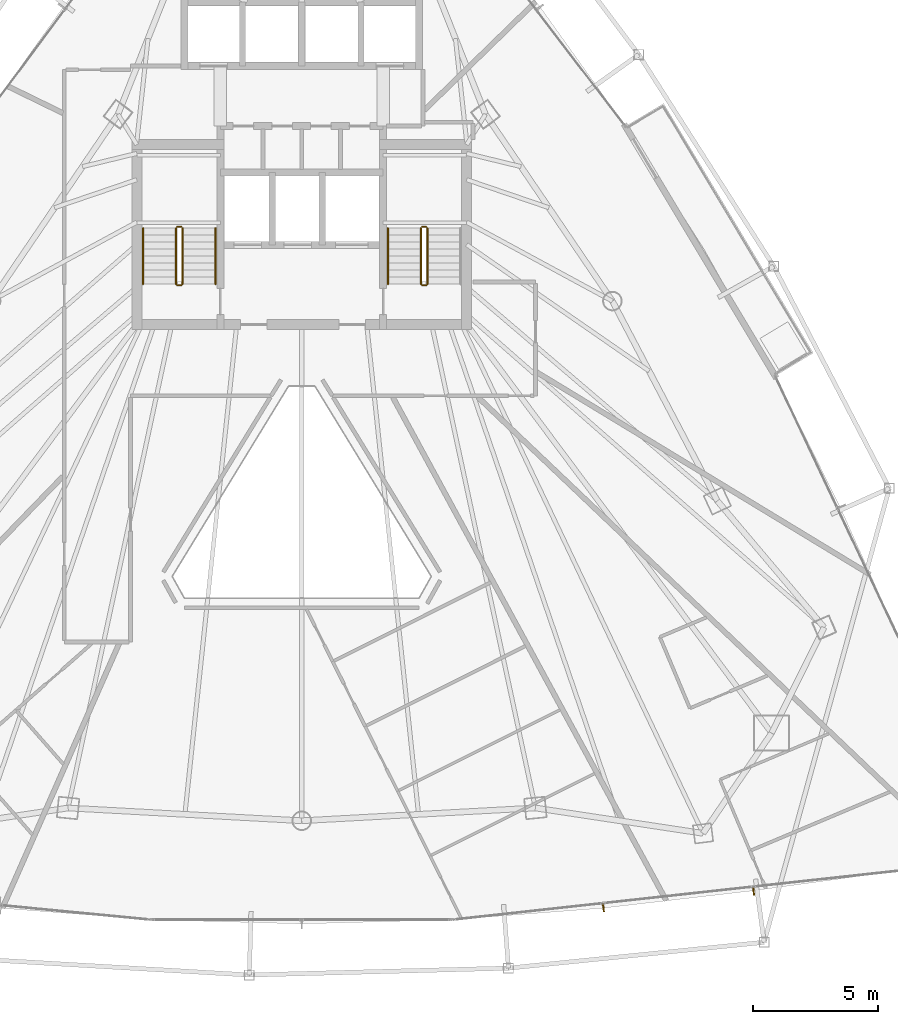
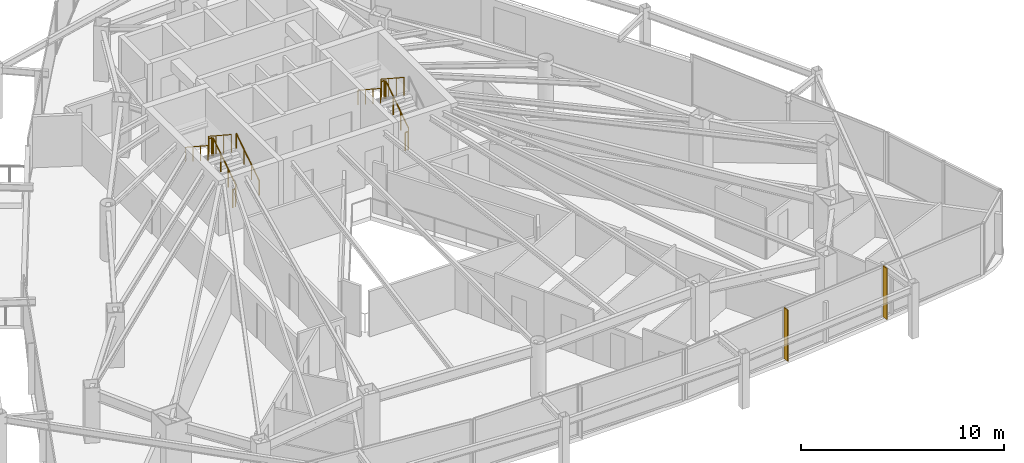
# One storey, part 30 of 31: 11 railings, 2 shading devices.
"""IFC4 building model written with IfcOpenShell, lengths in metres."""

from ifc_helpers import new_model, si_unit, direction, frame, origin, origin_2d, place, context, subcontext, project, spatial, rectangle, circle, extrude, material, layer, layer_set, type_object, element, save


model = new_model("IFC4")

# Units and contexts
model_context = context("Model", 3, precision=1e-05, world=origin(), true_north=direction((0.0, 1.0)))
body_context = subcontext(model_context, "Body", "Model", "MODEL_VIEW")
ifc_project = project(units=[si_unit("LENGTHUNIT", "METRE"), si_unit("AREAUNIT", "SQUARE_METRE"), si_unit("VOLUMEUNIT", "CUBIC_METRE"), si_unit("PLANEANGLEUNIT", "RADIAN"), si_unit("MASSUNIT", "GRAM", prefix="KILO")], contexts=[model_context])

# Site, building, storey
site_placement = place(None, origin())
site = spatial("IfcSite", under=ifc_project, at=site_placement, CompositionType="ELEMENT")
building_placement = place(site_placement, origin())
building = spatial("IfcBuilding", under=site, at=building_placement, Name="Orvanel Arch Residences", CompositionType="ELEMENT")
storey_placement = place(building_placement, frame((0.0, 0.0, 106.699951171875)))
storey = spatial("IfcBuildingStorey", under=building, at=storey_placement, Name="L29", CompositionType="ELEMENT", Elevation=106.699951171875)

# Shading devices
ifc_material_1 = material(Name="Bronze-anodised aluminium AA6063-T6", Category="aluminium")
ifc_layer = layer(ifc_material_1, 0.054931640625)
ifc_layer_set = layer_set([ifc_layer], Name="Bronze-anodised aluminium AA6063-T6")
shading_device_type = type_object("IfcShadingDeviceType", Name="FIN-BRZ-320", PredefinedType="USERDEFINED", material=ifc_layer_set)
for number, where, z_axis, x_axis, name in (
    (1, (45.073974609375, 3.35498046875, 0.0), (0.0, 0.0, 1.0), (0.109734311091, -0.993960955455, 0.0), "L29 Anodised Bronze Mullion FIN 01"),
    (2, (51.083984375, 4.014892578125, 0.0), (0.0, 0.0, 1.0), (0.109734311091, -0.993960955455, 0.0), "L29 Anodised Bronze Mullion FIN 02"),
):
    element("IfcShadingDevice", number, at=place(storey_placement, frame(where, z_axis=z_axis, x_axis=x_axis)), inside=storey, type_object=shading_device_type, Name=name, ObjectType="FIN", PredefinedType="USERDEFINED", context=body_context, shape_type="SweptSolid", body=[
        extrude(rectangle(XDim=0.320068359375, YDim=0.054931640625, at=origin_2d()), origin(), (0.0, 0.0, 1.0), 3.06005859375),
    ])

# Railings
ifc_material_2 = material(Name="Structural steel AS/NZS 1163 C350L0 (Grade 350)", Category="steel")
railing_type_1 = type_object("IfcRailingType", Name="RL-STAIR-GUARD", PredefinedType="GUARDRAIL", material=ifc_material_2)
railing_1_placement = place(storey_placement, frame((28.22998046875, 28.320068359375, 0.183349609375)))
element("IfcRailing", 3, at=railing_1_placement, inside=storey, type_object=railing_type_1, Name="L29 ST-1 stair guard 1", PredefinedType="GUARDRAIL", context=body_context, shape_type="SweptSolid", body=[
    extrude(circle(Radius=0.02392578125, at=origin_2d()), frame((0.0, 0.001220703125, 1.076904296875), z_axis=(0.0, 0.836595146698, 0.547821650285), x_axis=(-1.0, 0.0, 0.0)), (0.0, 0.0, 1.0), 2.674560546875),
    extrude(circle(Radius=0.02099609375, at=origin_2d()), origin(), (0.0, 0.0, 1.0), 1.050048828125),
    extrude(circle(Radius=0.02099609375, at=origin_2d()), frame((0.0, 0.74658203125, 0.489013671875)), (0.0, 0.0, 1.0), 1.050048828125),
    extrude(circle(Radius=0.02099609375, at=origin_2d()), frame((0.0, 1.493408203125, 0.977783203125)), (0.0, 0.0, 1.0), 1.050048828125),
    extrude(circle(Radius=0.02099609375, at=origin_2d()), frame((0.0, 2.239990234375, 1.466796875)), (0.0, 0.0, 1.0), 1.050048828125),
])
railing_2_placement = place(storey_placement, frame((28.179931640625, 30.610107421875, 1.650146484375)))
element("IfcRailing", 4, at=railing_2_placement, inside=storey, type_object=railing_type_1, Name="L29 ST-1 stair guard 2", PredefinedType="GUARDRAIL", context=body_context, shape_type="SweptSolid", body=[
    extrude(circle(Radius=0.02392578125, at=origin_2d()), frame((-0.00146484375, 0.0, 1.076171875), z_axis=(-1.0, 0.0, 0.0), x_axis=(0.0, -1.0, 0.0)), (0.0, 0.0, 1.0), 0.156982421875),
    extrude(circle(Radius=0.02099609375, at=origin_2d()), origin(), (0.0, 0.0, 1.0), 1.050048828125),
    extrude(circle(Radius=0.02099609375, at=origin_2d()), frame((-0.159912109375, 0.0, 0.0)), (0.0, 0.0, 1.0), 1.050048828125),
])
railing_3_placement = place(storey_placement, frame((27.969970703125, 30.56005859375, 1.83349609375)))
element("IfcRailing", 5, at=railing_3_placement, inside=storey, type_object=railing_type_1, Name="L29 ST-1 stair guard 3", PredefinedType="GUARDRAIL", context=body_context, shape_type="SweptSolid", body=[
    extrude(circle(Radius=0.02392578125, at=origin_2d()), frame((0.0, -0.001220703125, 1.076904296875), z_axis=(0.0, -0.836636935527, 0.547757827979), x_axis=(1.0, 0.0, 0.0)), (0.0, 0.0, 1.0), 2.67431640625),
    extrude(circle(Radius=0.02099609375, at=origin_2d()), origin(), (0.0, 0.0, 1.0), 1.050048828125),
    extrude(circle(Radius=0.02099609375, at=origin_2d()), frame((0.0, -0.74658203125, 0.48876953125)), (0.0, 0.0, 1.0), 1.050048828125),
    extrude(circle(Radius=0.02099609375, at=origin_2d()), frame((0.0, -1.493408203125, 0.977783203125)), (0.0, 0.0, 1.0), 1.050048828125),
    extrude(circle(Radius=0.02099609375, at=origin_2d()), frame((0.0, -2.239990234375, 1.466552734375)), (0.0, 0.0, 1.0), 1.050048828125),
])
railing_4_placement = place(storey_placement, frame((28.179931640625, 28.27001953125, 0.0)))
element("IfcRailing", 6, at=railing_4_placement, inside=storey, type_object=railing_type_1, Name="L29 ST-1 stair guard 4", PredefinedType="GUARDRAIL", context=body_context, shape_type="SweptSolid", body=[
    extrude(circle(Radius=0.02392578125, at=origin_2d()), frame((-0.00146484375, 0.0, 1.076171875), z_axis=(-1.0, 0.0, 0.0), x_axis=(0.0, -1.0, 0.0)), (0.0, 0.0, 1.0), 0.156982421875),
    extrude(circle(Radius=0.02099609375, at=origin_2d()), origin(), (0.0, 0.0, 1.0), 1.050048828125),
    extrude(circle(Radius=0.02099609375, at=origin_2d()), frame((-0.159912109375, 0.0, 0.0)), (0.0, 0.0, 1.0), 1.050048828125),
])
railing_5_placement = place(storey_placement, frame((38.030029296875, 28.320068359375, 0.183349609375)))
element("IfcRailing", 7, at=railing_5_placement, inside=storey, type_object=railing_type_1, Name="L29 ST-2 stair guard 1", PredefinedType="GUARDRAIL", context=body_context, shape_type="SweptSolid", body=[
    extrude(circle(Radius=0.02392578125, at=origin_2d()), frame((0.0, 0.001220703125, 1.076904296875), z_axis=(0.0, 0.836595146698, 0.547821650285), x_axis=(-1.0, 0.0, 0.0)), (0.0, 0.0, 1.0), 2.674560546875),
    extrude(circle(Radius=0.02099609375, at=origin_2d()), origin(), (0.0, 0.0, 1.0), 1.050048828125),
    extrude(circle(Radius=0.02099609375, at=origin_2d()), frame((0.0, 0.74658203125, 0.489013671875)), (0.0, 0.0, 1.0), 1.050048828125),
    extrude(circle(Radius=0.02099609375, at=origin_2d()), frame((0.0, 1.493408203125, 0.977783203125)), (0.0, 0.0, 1.0), 1.050048828125),
    extrude(circle(Radius=0.02099609375, at=origin_2d()), frame((0.0, 2.239990234375, 1.466796875)), (0.0, 0.0, 1.0), 1.050048828125),
])
railing_6_placement = place(storey_placement, frame((37.97998046875, 30.610107421875, 1.650146484375)))
element("IfcRailing", 8, at=railing_6_placement, inside=storey, type_object=railing_type_1, Name="L29 ST-2 stair guard 2", PredefinedType="GUARDRAIL", context=body_context, shape_type="SweptSolid", body=[
    extrude(circle(Radius=0.02392578125, at=origin_2d()), frame((-0.00146484375, 0.0, 1.076171875), z_axis=(-1.0, 0.0, 0.0), x_axis=(0.0, -1.0, 0.0)), (0.0, 0.0, 1.0), 0.156982421875),
    extrude(circle(Radius=0.02099609375, at=origin_2d()), origin(), (0.0, 0.0, 1.0), 1.050048828125),
    extrude(circle(Radius=0.02099609375, at=origin_2d()), frame((-0.159912109375, 0.0, 0.0)), (0.0, 0.0, 1.0), 1.050048828125),
])
railing_7_placement = place(storey_placement, frame((37.77001953125, 30.56005859375, 1.83349609375)))
element("IfcRailing", 9, at=railing_7_placement, inside=storey, type_object=railing_type_1, Name="L29 ST-2 stair guard 3", PredefinedType="GUARDRAIL", context=body_context, shape_type="SweptSolid", body=[
    extrude(circle(Radius=0.02392578125, at=origin_2d()), frame((0.0, -0.001220703125, 1.076904296875), z_axis=(0.0, -0.836636935527, 0.547757827979), x_axis=(1.0, 0.0, 0.0)), (0.0, 0.0, 1.0), 2.67431640625),
    extrude(circle(Radius=0.02099609375, at=origin_2d()), origin(), (0.0, 0.0, 1.0), 1.050048828125),
    extrude(circle(Radius=0.02099609375, at=origin_2d()), frame((0.0, -0.74658203125, 0.48876953125)), (0.0, 0.0, 1.0), 1.050048828125),
    extrude(circle(Radius=0.02099609375, at=origin_2d()), frame((0.0, -1.493408203125, 0.977783203125)), (0.0, 0.0, 1.0), 1.050048828125),
    extrude(circle(Radius=0.02099609375, at=origin_2d()), frame((0.0, -2.239990234375, 1.466552734375)), (0.0, 0.0, 1.0), 1.050048828125),
])
railing_8_placement = place(storey_placement, frame((37.97998046875, 28.27001953125, 0.0)))
element("IfcRailing", 10, at=railing_8_placement, inside=storey, type_object=railing_type_1, Name="L29 ST-2 stair guard 4", PredefinedType="GUARDRAIL", context=body_context, shape_type="SweptSolid", body=[
    extrude(circle(Radius=0.02392578125, at=origin_2d()), frame((-0.00146484375, 0.0, 1.076171875), z_axis=(-1.0, 0.0, 0.0), x_axis=(0.0, -1.0, 0.0)), (0.0, 0.0, 1.0), 0.156982421875),
    extrude(circle(Radius=0.02099609375, at=origin_2d()), origin(), (0.0, 0.0, 1.0), 1.050048828125),
    extrude(circle(Radius=0.02099609375, at=origin_2d()), frame((-0.159912109375, 0.0, 0.0)), (0.0, 0.0, 1.0), 1.050048828125),
])
railing_type_2 = type_object("IfcRailingType", Name="RL-STAIR-HAND", PredefinedType="HANDRAIL", material=ifc_material_2)
railing_9_placement = place(storey_placement, frame((29.550048828125, 28.320068359375, 0.183349609375)))
element("IfcRailing", 11, at=railing_9_placement, inside=storey, type_object=railing_type_2, Name="L29 ST-1 stair handrail 1", PredefinedType="HANDRAIL", context=body_context, shape_type="SweptSolid", body=[
    extrude(circle(Radius=0.02392578125, at=origin_2d()), frame((0.0, 0.001220703125, 0.876708984375), z_axis=(0.0, 0.836595146698, 0.547821650285), x_axis=(-1.0, 0.0, 0.0)), (0.0, 0.0, 1.0), 2.674560546875),
    extrude(circle(Radius=0.02099609375, at=origin_2d()), origin(), (0.0, 0.0, 1.0), 0.849853515625),
    extrude(circle(Radius=0.02099609375, at=origin_2d()), frame((0.0, 0.74658203125, 0.489013671875)), (0.0, 0.0, 1.0), 0.849853515625),
    extrude(circle(Radius=0.02099609375, at=origin_2d()), frame((0.0, 1.493408203125, 0.977783203125)), (0.0, 0.0, 1.0), 0.849853515625),
    extrude(circle(Radius=0.02099609375, at=origin_2d()), frame((0.0, 2.239990234375, 1.466796875)), (0.0, 0.0, 1.0), 0.849853515625),
])
for number, where, name in (
    (12, (26.64990234375, 30.56005859375, 1.83349609375), "L29 ST-1 stair handrail 2"),
    (13, (36.449951171875, 30.56005859375, 1.83349609375), "L29 ST-2 stair handrail 2"),
):
    element("IfcRailing", number, at=place(storey_placement, frame(where)), inside=storey, type_object=railing_type_2, Name=name, PredefinedType="HANDRAIL", context=body_context, shape_type="SweptSolid", body=[
        extrude(circle(Radius=0.02392578125, at=origin_2d()), frame((0.0, -0.001220703125, 0.876708984375), z_axis=(0.0, -0.836636935527, 0.547757827979), x_axis=(1.0, 0.0, 0.0)), (0.0, 0.0, 1.0), 2.67431640625),
        extrude(circle(Radius=0.02099609375, at=origin_2d()), origin(), (0.0, 0.0, 1.0), 0.849853515625),
        extrude(circle(Radius=0.02099609375, at=origin_2d()), frame((0.0, -0.74658203125, 0.48876953125)), (0.0, 0.0, 1.0), 0.849853515625),
        extrude(circle(Radius=0.02099609375, at=origin_2d()), frame((0.0, -1.493408203125, 0.977783203125)), (0.0, 0.0, 1.0), 0.849853515625),
        extrude(circle(Radius=0.02099609375, at=origin_2d()), frame((0.0, -2.239990234375, 1.466552734375)), (0.0, 0.0, 1.0), 0.849853515625),
    ])

save(model, "model.ifc")
